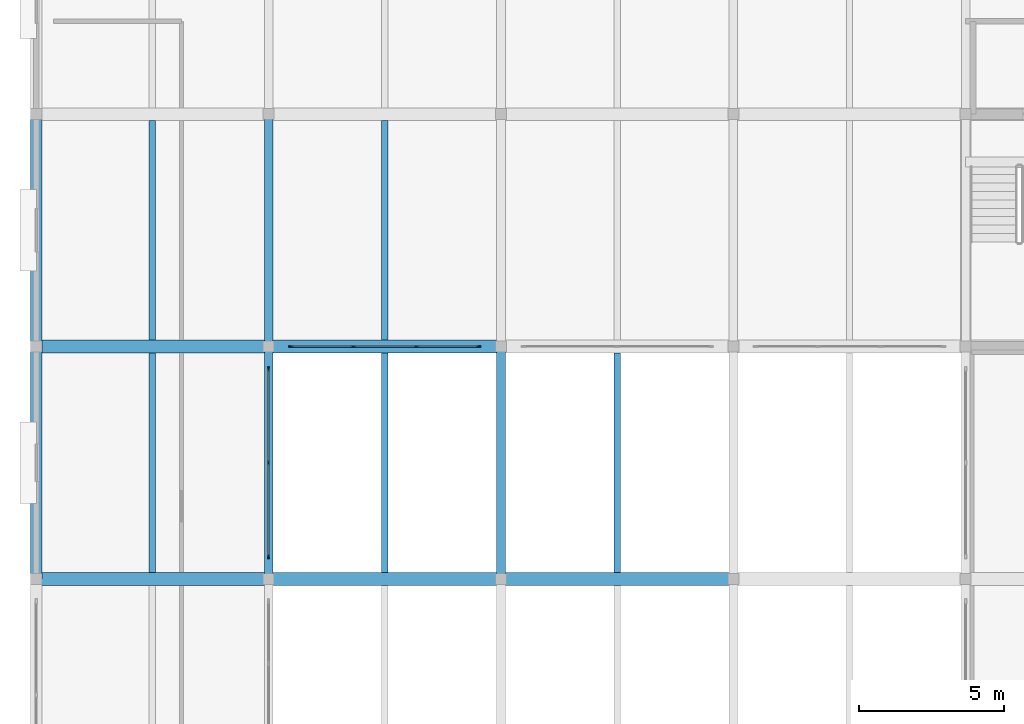
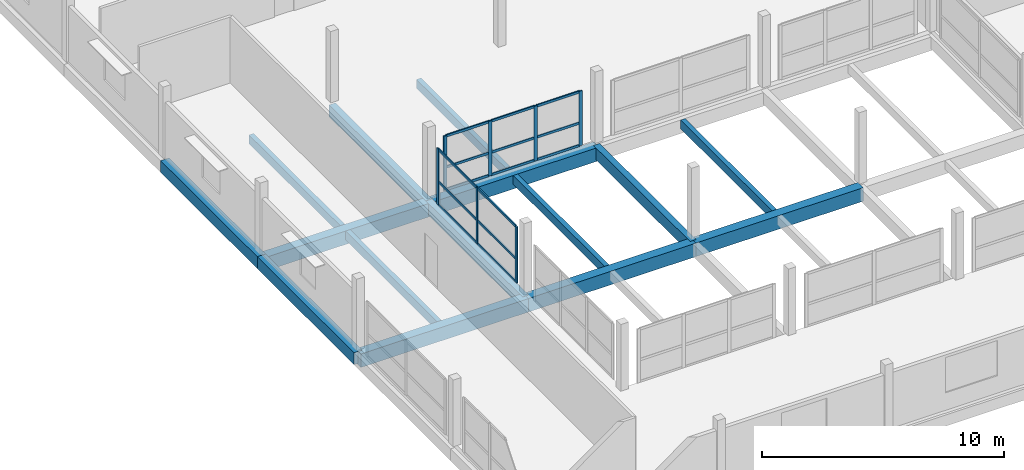
# One storey, part 10 of 34: 22 members, 15 beams, 2 elements without a shape of their own.
"""IFC4 building model written with IfcOpenShell, lengths in metres."""

from ifc_helpers import new_model, si_unit, direction, frame, origin, origin_2d, place, context, subcontext, project, spatial, rectangle, extrude, material, material_profile, profile_set, type_object, element, aggregate, save


model = new_model("IFC4")

# Units and contexts
model_context = context("Model", 3, precision=1e-05, world=origin(), true_north=direction((0.0, 1.0)))
body_context = subcontext(model_context, "Body", "Model", "MODEL_VIEW")
ifc_project = project(units=[si_unit("LENGTHUNIT", "METRE"), si_unit("AREAUNIT", "SQUARE_METRE"), si_unit("VOLUMEUNIT", "CUBIC_METRE"), si_unit("PLANEANGLEUNIT", "RADIAN"), si_unit("MASSUNIT", "GRAM", prefix="KILO")], contexts=[model_context])

# Site, building, storey
site_placement = place(None, origin())
site = spatial("IfcSite", under=ifc_project, at=site_placement, CompositionType="ELEMENT")
building_placement = place(site_placement, origin())
building = spatial("IfcBuilding", under=site, at=building_placement, Name="Vharandega Faculty of Natural Sciences", CompositionType="ELEMENT")
storey_placement = place(building_placement, frame((0.0, 0.0, 21.60009765625)))
storey = spatial("IfcBuildingStorey", under=building, at=storey_placement, Name="L05", CompositionType="ELEMENT", Elevation=21.60009765625)

# Curtain wall, members
ifc_material_1 = material(Name="Aluminium and solar-control glass curtain wall", Category="aluminium")
curtain_wall_type_1 = type_object("IfcCurtainWallType", Name="Unitised Curtain Wall System CW-11", PredefinedType="NOTDEFINED", material=ifc_material_1)
curtain_wall_1_placement = place(storey_placement, origin())
curtain_wall_1 = element("IfcCurtainWall", 1, at=curtain_wall_1_placement, inside=storey, type_object=curtain_wall_type_1, Name="Curtain Wall CW-L05-206", PredefinedType="NOTDEFINED")
ifc_material_2 = material(Name="Thermally broken aluminium 6063-T6", Category="aluminium")
ifc_material_profile_1 = material_profile(ifc_material_2, rectangle(XDim=0.06005859375, YDim=0.159912109375, at=origin_2d()), Name="ALU 60x160")
ifc_profile_set_1 = profile_set([ifc_material_profile_1], Name="Thermally broken aluminium 6063-T6")
member_type_1 = type_object("IfcMemberType", Name="CW Mullion 60x160", PredefinedType="MULLION", material=ifc_profile_set_1)
member_1_placement = place(storey_placement, frame((8.77001953125, 40.0, 0.0), z_axis=(0.0, 0.0, 1.0), x_axis=(0.0, 1.0, 0.0)))
member_1 = element("IfcMember", 2, at=member_1_placement, type_object=member_type_1, Name="CW-11 mullion 1", PredefinedType="MULLION", context=body_context, shape_type="SweptSolid", body=[
    extrude(rectangle(XDim=0.06005859375, YDim=0.159912109375, at=origin_2d()), origin(), (0.0, 0.0, 1.0), 2.760009765625),
])
member_2_placement = place(storey_placement, frame((10.913330078125, 40.0, 0.0), z_axis=(0.0, 0.0, 1.0), x_axis=(0.0, 1.0, 0.0)))
member_2 = element("IfcMember", 3, at=member_2_placement, type_object=member_type_1, Name="CW-11 mullion 2", PredefinedType="MULLION", context=body_context, shape_type="SweptSolid", body=[
    extrude(rectangle(XDim=0.06005859375, YDim=0.159912109375, at=origin_2d()), origin(), (0.0, 0.0, 1.0), 2.760009765625),
])
member_3_placement = place(storey_placement, frame((13.086669921875, 40.0, 0.0), z_axis=(0.0, 0.0, 1.0), x_axis=(0.0, 1.0, 0.0)))
member_3 = element("IfcMember", 4, at=member_3_placement, type_object=member_type_1, Name="CW-11 mullion 3", PredefinedType="MULLION", context=body_context, shape_type="SweptSolid", body=[
    extrude(rectangle(XDim=0.06005859375, YDim=0.159912109375, at=origin_2d()), origin(), (0.0, 0.0, 1.0), 2.760009765625),
])
member_4_placement = place(storey_placement, frame((15.22998046875, 40.0, 0.0), z_axis=(0.0, 0.0, 1.0), x_axis=(0.0, 1.0, 0.0)))
member_4 = element("IfcMember", 5, at=member_4_placement, type_object=member_type_1, Name="CW-11 mullion 4", PredefinedType="MULLION", context=body_context, shape_type="SweptSolid", body=[
    extrude(rectangle(XDim=0.06005859375, YDim=0.159912109375, at=origin_2d()), origin(), (0.0, 0.0, 1.0), 2.760009765625),
])

ifc_material_3 = material(Name="Aluminium and solar-control glass curtain wall", Category="aluminium")
curtain_wall_type_2 = type_object("IfcCurtainWallType", Name="Unitised Curtain Wall System CW-18", PredefinedType="NOTDEFINED", material=ifc_material_3)
curtain_wall_2_placement = place(storey_placement, origin())
curtain_wall_2 = element("IfcCurtainWall", 6, at=curtain_wall_2_placement, inside=storey, type_object=curtain_wall_type_2, Name="Curtain Wall CW-L05-213", PredefinedType="NOTDEFINED")
member_5_placement = place(storey_placement, frame((8.0, 32.77001953125, 0.0), z_axis=(0.0, 0.0, 1.0), x_axis=(-1.0, 0.0, 0.0)))
member_5 = element("IfcMember", 7, at=member_5_placement, type_object=member_type_1, Name="CW-18 mullion 1", PredefinedType="MULLION", context=body_context, shape_type="SweptSolid", body=[
    extrude(rectangle(XDim=0.06005859375, YDim=0.159912109375, at=origin_2d()), origin(), (0.0, 0.0, 1.0), 2.83984375),
])
member_6_placement = place(storey_placement, frame((8.0, 36.0, 0.0), z_axis=(0.0, 0.0, 1.0), x_axis=(-1.0, 0.0, 0.0)))
member_6 = element("IfcMember", 8, at=member_6_placement, type_object=member_type_1, Name="CW-18 mullion 2", PredefinedType="MULLION", context=body_context, shape_type="SweptSolid", body=[
    extrude(rectangle(XDim=0.06005859375, YDim=0.159912109375, at=origin_2d()), origin(), (0.0, 0.0, 1.0), 2.83984375),
])
member_7_placement = place(storey_placement, frame((8.0, 39.22998046875, 0.0), z_axis=(0.0, 0.0, 1.0), x_axis=(-1.0, 0.0, 0.0)))
member_7 = element("IfcMember", 9, at=member_7_placement, type_object=member_type_1, Name="CW-18 mullion 3", PredefinedType="MULLION", context=body_context, shape_type="SweptSolid", body=[
    extrude(rectangle(XDim=0.06005859375, YDim=0.159912109375, at=origin_2d()), origin(), (0.0, 0.0, 1.0), 2.83984375),
])

# Member
ifc_material_4 = material(Name="Thermally broken aluminium 6063-T6", Category="aluminium")
ifc_material_profile_2 = material_profile(ifc_material_4, rectangle(XDim=0.06005859375, YDim=0.1201171875, at=origin_2d()), Name="ALU 60x120")
ifc_profile_set_2 = profile_set([ifc_material_profile_2], Name="Thermally broken aluminium 6063-T6")
member_type_2 = type_object("IfcMemberType", Name="CW Transom 60x120", PredefinedType="USERDEFINED", material=ifc_profile_set_2)
member_8_placement = place(storey_placement, frame((8.800048828125, 40.0, 0.02978515625), z_axis=(1.0, 0.0, 0.0), x_axis=(0.0, 1.0, 0.0)))
member_8 = element("IfcMember", 10, at=member_8_placement, type_object=member_type_2, Name="CW-11 transom 1.1", ObjectType="TRANSOM", PredefinedType="USERDEFINED", context=body_context, shape_type="SweptSolid", body=[
    extrude(rectangle(XDim=0.06005859375, YDim=0.1201171875, at=origin_2d()), origin(), (0.0, 0.0, 1.0), 2.083251953125),
])

member_9_placement = place(storey_placement, frame((8.800048828125, 40.0, 1.1591796875), z_axis=(1.0, 0.0, 0.0), x_axis=(0.0, 1.0, 0.0)))
member_9 = element("IfcMember", 11, at=member_9_placement, type_object=member_type_2, Name="CW-11 transom 1.2", ObjectType="TRANSOM", PredefinedType="USERDEFINED", context=body_context, shape_type="SweptSolid", body=[
    extrude(rectangle(XDim=0.06005859375, YDim=0.1201171875, at=origin_2d()), origin(), (0.0, 0.0, 1.0), 2.083251953125),
])

member_10_placement = place(storey_placement, frame((8.800048828125, 40.0, 2.72998046875), z_axis=(1.0, 0.0, 0.0), x_axis=(0.0, 1.0, 0.0)))
member_10 = element("IfcMember", 12, at=member_10_placement, type_object=member_type_2, Name="CW-11 transom 1.3", ObjectType="TRANSOM", PredefinedType="USERDEFINED", context=body_context, shape_type="SweptSolid", body=[
    extrude(rectangle(XDim=0.06005859375, YDim=0.1201171875, at=origin_2d()), origin(), (0.0, 0.0, 1.0), 2.083251953125),
])

member_11_placement = place(storey_placement, frame((10.943359375, 40.0, 0.02978515625), z_axis=(1.0, 0.0, 0.0), x_axis=(0.0, 1.0, 0.0)))
member_11 = element("IfcMember", 13, at=member_11_placement, type_object=member_type_2, Name="CW-11 transom 2.1", ObjectType="TRANSOM", PredefinedType="USERDEFINED", context=body_context, shape_type="SweptSolid", body=[
    extrude(rectangle(XDim=0.06005859375, YDim=0.1201171875, at=origin_2d()), origin(), (0.0, 0.0, 1.0), 2.11328125),
])

member_12_placement = place(storey_placement, frame((10.943359375, 40.0, 1.1591796875), z_axis=(1.0, 0.0, 0.0), x_axis=(0.0, 1.0, 0.0)))
member_12 = element("IfcMember", 14, at=member_12_placement, type_object=member_type_2, Name="CW-11 transom 2.2", ObjectType="TRANSOM", PredefinedType="USERDEFINED", context=body_context, shape_type="SweptSolid", body=[
    extrude(rectangle(XDim=0.06005859375, YDim=0.1201171875, at=origin_2d()), origin(), (0.0, 0.0, 1.0), 2.11328125),
])

member_13_placement = place(storey_placement, frame((10.943359375, 40.0, 2.72998046875), z_axis=(1.0, 0.0, 0.0), x_axis=(0.0, 1.0, 0.0)))
member_13 = element("IfcMember", 15, at=member_13_placement, type_object=member_type_2, Name="CW-11 transom 2.3", ObjectType="TRANSOM", PredefinedType="USERDEFINED", context=body_context, shape_type="SweptSolid", body=[
    extrude(rectangle(XDim=0.06005859375, YDim=0.1201171875, at=origin_2d()), origin(), (0.0, 0.0, 1.0), 2.11328125),
])

member_14_placement = place(storey_placement, frame((13.11669921875, 40.0, 0.02978515625), z_axis=(1.0, 0.0, 0.0), x_axis=(0.0, 1.0, 0.0)))
member_14 = element("IfcMember", 16, at=member_14_placement, type_object=member_type_2, Name="CW-11 transom 3.1", ObjectType="TRANSOM", PredefinedType="USERDEFINED", context=body_context, shape_type="SweptSolid", body=[
    extrude(rectangle(XDim=0.06005859375, YDim=0.1201171875, at=origin_2d()), origin(), (0.0, 0.0, 1.0), 2.083251953125),
])

member_15_placement = place(storey_placement, frame((13.11669921875, 40.0, 1.1591796875), z_axis=(1.0, 0.0, 0.0), x_axis=(0.0, 1.0, 0.0)))
member_15 = element("IfcMember", 17, at=member_15_placement, type_object=member_type_2, Name="CW-11 transom 3.2", ObjectType="TRANSOM", PredefinedType="USERDEFINED", context=body_context, shape_type="SweptSolid", body=[
    extrude(rectangle(XDim=0.06005859375, YDim=0.1201171875, at=origin_2d()), origin(), (0.0, 0.0, 1.0), 2.083251953125),
])

member_16_placement = place(storey_placement, frame((13.11669921875, 40.0, 2.72998046875), z_axis=(1.0, 0.0, 0.0), x_axis=(0.0, 1.0, 0.0)))
member_16 = element("IfcMember", 18, at=member_16_placement, type_object=member_type_2, Name="CW-11 transom 3.3", ObjectType="TRANSOM", PredefinedType="USERDEFINED", context=body_context, shape_type="SweptSolid", body=[
    extrude(rectangle(XDim=0.06005859375, YDim=0.1201171875, at=origin_2d()), origin(), (0.0, 0.0, 1.0), 2.083251953125),
])

aggregate(curtain_wall_1, [member_1, member_2, member_3, member_4, member_8, member_9, member_10, member_11, member_12, member_13, member_14, member_15, member_16])

member_17_placement = place(storey_placement, frame((8.0, 32.800048828125, 0.02978515625), z_axis=(0.0, 1.0, 0.0), x_axis=(-1.0, 0.0, 0.0)))
member_17 = element("IfcMember", 19, at=member_17_placement, type_object=member_type_2, Name="CW-18 transom 1.1", ObjectType="TRANSOM", PredefinedType="USERDEFINED", context=body_context, shape_type="SweptSolid", body=[
    extrude(rectangle(XDim=0.06005859375, YDim=0.1201171875, at=origin_2d()), origin(), (0.0, 0.0, 1.0), 3.169921875),
])

member_18_placement = place(storey_placement, frame((8.0, 32.800048828125, 1.192626953125), z_axis=(0.0, 1.0, 0.0), x_axis=(-1.0, 0.0, 0.0)))
member_18 = element("IfcMember", 20, at=member_18_placement, type_object=member_type_2, Name="CW-18 transom 1.2", ObjectType="TRANSOM", PredefinedType="USERDEFINED", context=body_context, shape_type="SweptSolid", body=[
    extrude(rectangle(XDim=0.06005859375, YDim=0.1201171875, at=origin_2d()), origin(), (0.0, 0.0, 1.0), 3.169921875),
])

member_19_placement = place(storey_placement, frame((8.0, 32.800048828125, 2.809814453125), z_axis=(0.0, 1.0, 0.0), x_axis=(-1.0, 0.0, 0.0)))
member_19 = element("IfcMember", 21, at=member_19_placement, type_object=member_type_2, Name="CW-18 transom 1.3", ObjectType="TRANSOM", PredefinedType="USERDEFINED", context=body_context, shape_type="SweptSolid", body=[
    extrude(rectangle(XDim=0.06005859375, YDim=0.1201171875, at=origin_2d()), origin(), (0.0, 0.0, 1.0), 3.169921875),
])

member_20_placement = place(storey_placement, frame((8.0, 36.030029296875, 0.02978515625), z_axis=(0.0, 1.0, 0.0), x_axis=(-1.0, 0.0, 0.0)))
member_20 = element("IfcMember", 22, at=member_20_placement, type_object=member_type_2, Name="CW-18 transom 2.1", ObjectType="TRANSOM", PredefinedType="USERDEFINED", context=body_context, shape_type="SweptSolid", body=[
    extrude(rectangle(XDim=0.06005859375, YDim=0.1201171875, at=origin_2d()), origin(), (0.0, 0.0, 1.0), 3.169921875),
])

member_21_placement = place(storey_placement, frame((8.0, 36.030029296875, 1.192626953125), z_axis=(0.0, 1.0, 0.0), x_axis=(-1.0, 0.0, 0.0)))
member_21 = element("IfcMember", 23, at=member_21_placement, type_object=member_type_2, Name="CW-18 transom 2.2", ObjectType="TRANSOM", PredefinedType="USERDEFINED", context=body_context, shape_type="SweptSolid", body=[
    extrude(rectangle(XDim=0.06005859375, YDim=0.1201171875, at=origin_2d()), origin(), (0.0, 0.0, 1.0), 3.169921875),
])

member_22_placement = place(storey_placement, frame((8.0, 36.030029296875, 2.809814453125), z_axis=(0.0, 1.0, 0.0), x_axis=(-1.0, 0.0, 0.0)))
member_22 = element("IfcMember", 24, at=member_22_placement, type_object=member_type_2, Name="CW-18 transom 2.3", ObjectType="TRANSOM", PredefinedType="USERDEFINED", context=body_context, shape_type="SweptSolid", body=[
    extrude(rectangle(XDim=0.06005859375, YDim=0.1201171875, at=origin_2d()), origin(), (0.0, 0.0, 1.0), 3.169921875),
])

aggregate(curtain_wall_2, [member_5, member_6, member_7, member_17, member_18, member_19, member_20, member_21, member_22])

# Beams
ifc_material_5 = material(Name="Glulam GL28h", Category="wood")
ifc_material_profile_3 = material_profile(ifc_material_5, rectangle(XDim=0.300048828125, YDim=0.60009765625, at=origin_2d()), Name="GL28h 300x600")
ifc_profile_set_3 = profile_set([ifc_material_profile_3], Name="Glulam GL28h")
beam_type_1 = type_object("IfcBeamType", Name="Glulam Floor Beam 300x600", PredefinedType="BEAM", material=ifc_profile_set_3)
for number, where, z_axis, x_axis, name in (
    (25, (8.0, 32.0, -0.52001953125), (0.0, 1.0, 0.0), (-1.0, 0.0, 0.0), "Beam L05 2/E-F"),
    (26, (8.0, 40.0, -0.52001953125), (0.0, 1.0, 0.0), (-1.0, 0.0, 0.0), "Beam L05 2/F-G"),
    (27, (16.0, 32.0, -0.52001953125), (0.0, 1.0, 0.0), (-1.0, 0.0, 0.0), "Beam L05 3/E-F"),
):
    element("IfcBeam", number, at=place(storey_placement, frame(where, z_axis=z_axis, x_axis=x_axis)), inside=storey, type_object=beam_type_1, Name=name, PredefinedType="BEAM", context=body_context, shape_type="SweptSolid", body=[
        extrude(rectangle(XDim=0.300048828125, YDim=0.60009765625, at=origin_2d()), origin(), (0.0, 0.0, 1.0), 8.0),
    ])
ifc_material_6 = material(Name="Glulam GL32h", Category="wood")
ifc_material_profile_4 = material_profile(ifc_material_6, rectangle(XDim=0.43994140625, YDim=0.679931640625, at=origin_2d()), Name="GL32h 440x680")
ifc_profile_set_4 = profile_set([ifc_material_profile_4], Name="Glulam GL32h")
beam_type_2 = type_object("IfcBeamType", Name="Glulam Girder 440x680", PredefinedType="BEAM", material=ifc_profile_set_4)
for number, where, z_axis, x_axis, name in (
    (28, (0.0, 32.0, -0.56005859375), (1.0, 0.0, 0.0), (0.0, 1.0, 0.0), "Beam L05 E/1-2"),
    (29, (8.0, 32.0, -0.56005859375), (1.0, 0.0, 0.0), (0.0, 1.0, 0.0), "Beam L05 E/2-3"),
    (30, (16.0, 32.0, -0.56005859375), (1.0, 0.0, 0.0), (0.0, 1.0, 0.0), "Beam L05 E/3-4"),
    (31, (0.0, 40.0, -0.56005859375), (1.0, 0.0, 0.0), (0.0, 1.0, 0.0), "Beam L05 F/1-2"),
    (32, (8.0, 40.0, -0.56005859375), (1.0, 0.0, 0.0), (0.0, 1.0, 0.0), "Beam L05 F/2-3"),
):
    element("IfcBeam", number, at=place(storey_placement, frame(where, z_axis=z_axis, x_axis=x_axis)), inside=storey, type_object=beam_type_2, Name=name, PredefinedType="BEAM", context=body_context, shape_type="SweptSolid", body=[
        extrude(rectangle(XDim=0.43994140625, YDim=0.679931640625, at=origin_2d()), origin(), (0.0, 0.0, 1.0), 8.0),
    ])
ifc_material_7 = material(Name="Glulam GL28h", Category="wood")
ifc_material_profile_5 = material_profile(ifc_material_7, rectangle(XDim=0.219970703125, YDim=0.43994140625, at=origin_2d()), Name="GL28h 220x440")
ifc_profile_set_5 = profile_set([ifc_material_profile_5], Name="Glulam GL28h")
beam_type_3 = type_object("IfcBeamType", Name="Glulam Secondary Joist 220x440", PredefinedType="JOIST", material=ifc_profile_set_5)
for number, where, z_axis, x_axis, name in (
    (33, (4.0, 32.219970703125, -0.440185546875), (0.0, 1.0, 0.0), (-1.0, 0.0, 0.0), "Secondary Joist L05 1-2/E-F"),
    (34, (4.0, 40.219970703125, -0.440185546875), (0.0, 1.0, 0.0), (-1.0, 0.0, 0.0), "Secondary Joist L05 1-2/F-G"),
    (35, (12.0, 32.219970703125, -0.440185546875), (0.0, 1.0, 0.0), (-1.0, 0.0, 0.0), "Secondary Joist L05 2-3/E-F"),
    (36, (12.0, 40.219970703125, -0.440185546875), (0.0, 1.0, 0.0), (-1.0, 0.0, 0.0), "Secondary Joist L05 2-3/F-G"),
    (37, (20.0, 32.219970703125, -0.440185546875), (0.0, 1.0, 0.0), (-1.0, 0.0, 0.0), "Secondary Joist L05 3-4/E-F"),
):
    element("IfcBeam", number, at=place(storey_placement, frame(where, z_axis=z_axis, x_axis=x_axis)), inside=storey, type_object=beam_type_3, Name=name, PredefinedType="JOIST", context=body_context, shape_type="SweptSolid", body=[
        extrude(rectangle(XDim=0.219970703125, YDim=0.43994140625, at=origin_2d()), origin(), (0.0, 0.0, 1.0), 7.56005859375),
    ])
ifc_material_8 = material(Name="Glulam GL32h", Category="wood")
ifc_material_profile_6 = material_profile(ifc_material_8, rectangle(XDim=0.39990234375, YDim=0.60009765625, at=origin_2d()), Name="GL32h 400x600")
ifc_profile_set_6 = profile_set([ifc_material_profile_6], Name="Glulam GL32h")
beam_type_4 = type_object("IfcBeamType", Name="Glulam Spine Girder 400x600", PredefinedType="BEAM", material=ifc_profile_set_6)
for number, where, z_axis, x_axis, name in (
    (38, (0.0, 32.0, -0.52001953125), (0.0, 1.0, 0.0), (-1.0, 0.0, 0.0), "Beam L05 1/E-F"),
    (39, (0.0, 40.0, -0.52001953125), (0.0, 1.0, 0.0), (-1.0, 0.0, 0.0), "Beam L05 1/F-G"),
):
    element("IfcBeam", number, at=place(storey_placement, frame(where, z_axis=z_axis, x_axis=x_axis)), inside=storey, type_object=beam_type_4, Name=name, PredefinedType="BEAM", context=body_context, shape_type="SweptSolid", body=[
        extrude(rectangle(XDim=0.39990234375, YDim=0.60009765625, at=origin_2d()), origin(), (0.0, 0.0, 1.0), 8.0),
    ])

save(model, "model.ifc")
